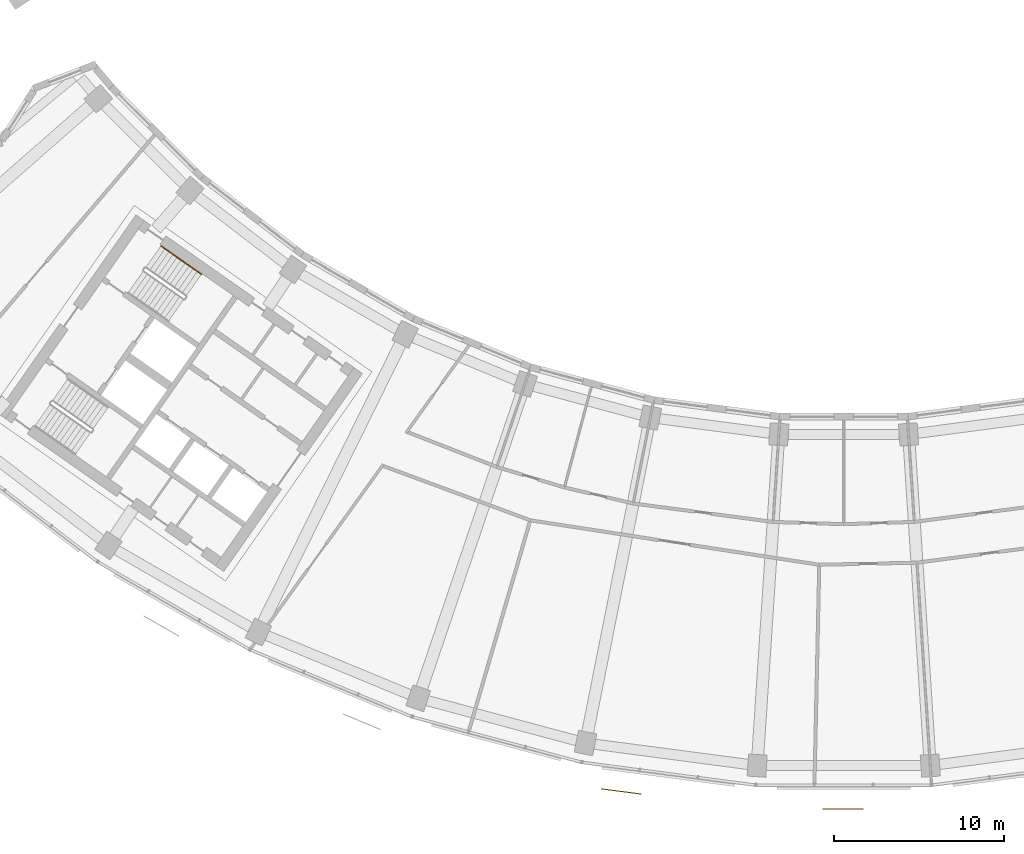
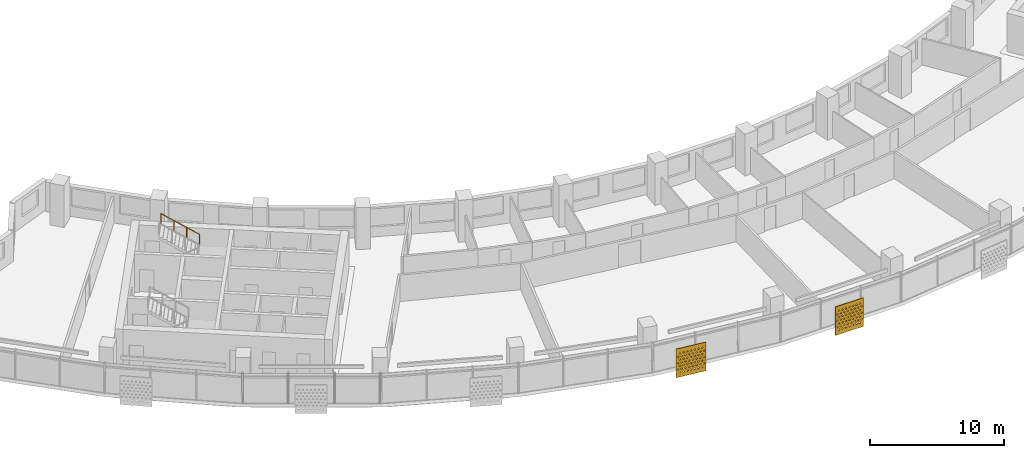
# One storey, part 23 of 26: 2 shading devices, 1 railing.
"""IFC4 building model written with IfcOpenShell, lengths in metres."""

from ifc_helpers import new_model, si_unit, direction, frame, origin, origin_2d, place, context, subcontext, project, spatial, polyline, circle, outline, extrude, material, material_profile, profile_set, type_object, element, save


model = new_model("IFC4")

# Units and contexts
model_context = context("Model", 3, precision=1e-05, world=origin(), true_north=direction((0.0, 1.0)))
body_context = subcontext(model_context, "Body", "Model", "MODEL_VIEW")
ifc_project = project(units=[si_unit("LENGTHUNIT", "METRE"), si_unit("AREAUNIT", "SQUARE_METRE"), si_unit("VOLUMEUNIT", "CUBIC_METRE"), si_unit("PLANEANGLEUNIT", "RADIAN"), si_unit("MASSUNIT", "GRAM", prefix="KILO")], contexts=[model_context])

# Site, building, storey
site_placement = place(None, origin())
site = spatial("IfcSite", under=ifc_project, at=site_placement, CompositionType="ELEMENT")
building_placement = place(site_placement, origin())
building = spatial("IfcBuilding", under=site, at=building_placement, Name="Qamariyya Broadcast Tower", CompositionType="ELEMENT")
storey_placement = place(building_placement, frame((0.0, 0.0, 168.300048828125)))
storey = spatial("IfcBuildingStorey", under=building, at=storey_placement, Name="L39", CompositionType="ELEMENT", Elevation=168.300048828125)

# Shading devices
ifc_material_1 = material(Name="Perforated glazed terracotta", Category="masonry")
ifc_material_profile = material_profile(ifc_material_1, outline(polyline([(-1.199951171875, -1.300048828125), (1.199951171875, -1.300048828125), (1.199951171875, 1.300048828125), (-1.199951171875, 1.300048828125), (-1.199951171875, -1.300048828125)]), holes=[polyline([(-0.81494140625, -0.86669921875), (-0.89990234375, -0.78173828125), (-0.985107421875, -0.86669921875), (-0.89990234375, -0.95166015625), (-0.81494140625, -0.86669921875)]), polyline([(-0.514892578125, -0.86669921875), (-0.60009765625, -0.78173828125), (-0.68505859375, -0.86669921875), (-0.60009765625, -0.95166015625), (-0.514892578125, -0.86669921875)]), polyline([(-0.215087890625, -0.86669921875), (-0.300048828125, -0.78173828125), (-0.385009765625, -0.86669921875), (-0.300048828125, -0.95166015625), (-0.215087890625, -0.86669921875)]), polyline([(0.0849609375, -0.86669921875), (0.0, -0.78173828125), (-0.0849609375, -0.86669921875), (0.0, -0.95166015625), (0.0849609375, -0.86669921875)]), polyline([(0.385009765625, -0.86669921875), (0.300048828125, -0.78173828125), (0.215087890625, -0.86669921875), (0.300048828125, -0.95166015625), (0.385009765625, -0.86669921875)]), polyline([(0.68505859375, -0.86669921875), (0.60009765625, -0.78173828125), (0.514892578125, -0.86669921875), (0.60009765625, -0.95166015625), (0.68505859375, -0.86669921875)]), polyline([(0.985107421875, -0.86669921875), (0.89990234375, -0.78173828125), (0.81494140625, -0.86669921875), (0.89990234375, -0.95166015625), (0.985107421875, -0.86669921875)]), polyline([(-0.965087890625, -0.577880859375), (-1.050048828125, -0.49267578125), (-1.135009765625, -0.577880859375), (-1.050048828125, -0.662841796875), (-0.965087890625, -0.577880859375)]), polyline([(-0.6650390625, -0.577880859375), (-0.75, -0.49267578125), (-0.8349609375, -0.577880859375), (-0.75, -0.662841796875), (-0.6650390625, -0.577880859375)]), polyline([(-0.364990234375, -0.577880859375), (-0.449951171875, -0.49267578125), (-0.534912109375, -0.577880859375), (-0.449951171875, -0.662841796875), (-0.364990234375, -0.577880859375)]), polyline([(-0.06494140625, -0.577880859375), (-0.14990234375, -0.49267578125), (-0.235107421875, -0.577880859375), (-0.14990234375, -0.662841796875), (-0.06494140625, -0.577880859375)]), polyline([(0.235107421875, -0.577880859375), (0.14990234375, -0.49267578125), (0.06494140625, -0.577880859375), (0.14990234375, -0.662841796875), (0.235107421875, -0.577880859375)]), polyline([(0.534912109375, -0.577880859375), (0.449951171875, -0.49267578125), (0.364990234375, -0.577880859375), (0.449951171875, -0.662841796875), (0.534912109375, -0.577880859375)]), polyline([(0.8349609375, -0.577880859375), (0.75, -0.49267578125), (0.6650390625, -0.577880859375), (0.75, -0.662841796875), (0.8349609375, -0.577880859375)]), polyline([(1.135009765625, -0.577880859375), (1.050048828125, -0.49267578125), (0.965087890625, -0.577880859375), (1.050048828125, -0.662841796875), (1.135009765625, -0.577880859375)]), polyline([(-0.81494140625, -0.288818359375), (-0.89990234375, -0.203857421875), (-0.985107421875, -0.288818359375), (-0.89990234375, -0.373779296875), (-0.81494140625, -0.288818359375)]), polyline([(-0.514892578125, -0.288818359375), (-0.60009765625, -0.203857421875), (-0.68505859375, -0.288818359375), (-0.60009765625, -0.373779296875), (-0.514892578125, -0.288818359375)]), polyline([(-0.215087890625, -0.288818359375), (-0.300048828125, -0.203857421875), (-0.385009765625, -0.288818359375), (-0.300048828125, -0.373779296875), (-0.215087890625, -0.288818359375)]), polyline([(0.0849609375, -0.288818359375), (0.0, -0.203857421875), (-0.0849609375, -0.288818359375), (0.0, -0.373779296875), (0.0849609375, -0.288818359375)]), polyline([(0.385009765625, -0.288818359375), (0.300048828125, -0.203857421875), (0.215087890625, -0.288818359375), (0.300048828125, -0.373779296875), (0.385009765625, -0.288818359375)]), polyline([(0.68505859375, -0.288818359375), (0.60009765625, -0.203857421875), (0.514892578125, -0.288818359375), (0.60009765625, -0.373779296875), (0.68505859375, -0.288818359375)]), polyline([(0.985107421875, -0.288818359375), (0.89990234375, -0.203857421875), (0.81494140625, -0.288818359375), (0.89990234375, -0.373779296875), (0.985107421875, -0.288818359375)]), polyline([(-0.965087890625, 0.0), (-1.050048828125, 0.0849609375), (-1.135009765625, 0.0), (-1.050048828125, -0.0849609375), (-0.965087890625, 0.0)]), polyline([(-0.6650390625, 0.0), (-0.75, 0.0849609375), (-0.8349609375, 0.0), (-0.75, -0.0849609375), (-0.6650390625, 0.0)]), polyline([(-0.364990234375, 0.0), (-0.449951171875, 0.0849609375), (-0.534912109375, 0.0), (-0.449951171875, -0.0849609375), (-0.364990234375, 0.0)]), polyline([(-0.06494140625, 0.0), (-0.14990234375, 0.0849609375), (-0.235107421875, 0.0), (-0.14990234375, -0.0849609375), (-0.06494140625, 0.0)]), polyline([(0.235107421875, 0.0), (0.14990234375, 0.0849609375), (0.06494140625, 0.0), (0.14990234375, -0.0849609375), (0.235107421875, 0.0)]), polyline([(0.534912109375, 0.0), (0.449951171875, 0.0849609375), (0.364990234375, 0.0), (0.449951171875, -0.0849609375), (0.534912109375, 0.0)]), polyline([(0.8349609375, 0.0), (0.75, 0.0849609375), (0.6650390625, 0.0), (0.75, -0.0849609375), (0.8349609375, 0.0)]), polyline([(1.135009765625, 0.0), (1.050048828125, 0.0849609375), (0.965087890625, 0.0), (1.050048828125, -0.0849609375), (1.135009765625, 0.0)]), polyline([(-0.81494140625, 0.288818359375), (-0.89990234375, 0.373779296875), (-0.985107421875, 0.288818359375), (-0.89990234375, 0.203857421875), (-0.81494140625, 0.288818359375)]), polyline([(-0.514892578125, 0.288818359375), (-0.60009765625, 0.373779296875), (-0.68505859375, 0.288818359375), (-0.60009765625, 0.203857421875), (-0.514892578125, 0.288818359375)]), polyline([(-0.215087890625, 0.288818359375), (-0.300048828125, 0.373779296875), (-0.385009765625, 0.288818359375), (-0.300048828125, 0.203857421875), (-0.215087890625, 0.288818359375)]), polyline([(0.0849609375, 0.288818359375), (0.0, 0.373779296875), (-0.0849609375, 0.288818359375), (0.0, 0.203857421875), (0.0849609375, 0.288818359375)]), polyline([(0.385009765625, 0.288818359375), (0.300048828125, 0.373779296875), (0.215087890625, 0.288818359375), (0.300048828125, 0.203857421875), (0.385009765625, 0.288818359375)]), polyline([(0.68505859375, 0.288818359375), (0.60009765625, 0.373779296875), (0.514892578125, 0.288818359375), (0.60009765625, 0.203857421875), (0.68505859375, 0.288818359375)]), polyline([(0.985107421875, 0.288818359375), (0.89990234375, 0.373779296875), (0.81494140625, 0.288818359375), (0.89990234375, 0.203857421875), (0.985107421875, 0.288818359375)]), polyline([(-0.965087890625, 0.577880859375), (-1.050048828125, 0.662841796875), (-1.135009765625, 0.577880859375), (-1.050048828125, 0.49267578125), (-0.965087890625, 0.577880859375)]), polyline([(-0.6650390625, 0.577880859375), (-0.75, 0.662841796875), (-0.8349609375, 0.577880859375), (-0.75, 0.49267578125), (-0.6650390625, 0.577880859375)]), polyline([(-0.364990234375, 0.577880859375), (-0.449951171875, 0.662841796875), (-0.534912109375, 0.577880859375), (-0.449951171875, 0.49267578125), (-0.364990234375, 0.577880859375)]), polyline([(-0.06494140625, 0.577880859375), (-0.14990234375, 0.662841796875), (-0.235107421875, 0.577880859375), (-0.14990234375, 0.49267578125), (-0.06494140625, 0.577880859375)]), polyline([(0.235107421875, 0.577880859375), (0.14990234375, 0.662841796875), (0.06494140625, 0.577880859375), (0.14990234375, 0.49267578125), (0.235107421875, 0.577880859375)]), polyline([(0.534912109375, 0.577880859375), (0.449951171875, 0.662841796875), (0.364990234375, 0.577880859375), (0.449951171875, 0.49267578125), (0.534912109375, 0.577880859375)]), polyline([(0.8349609375, 0.577880859375), (0.75, 0.662841796875), (0.6650390625, 0.577880859375), (0.75, 0.49267578125), (0.8349609375, 0.577880859375)]), polyline([(1.135009765625, 0.577880859375), (1.050048828125, 0.662841796875), (0.965087890625, 0.577880859375), (1.050048828125, 0.49267578125), (1.135009765625, 0.577880859375)]), polyline([(-0.81494140625, 0.86669921875), (-0.89990234375, 0.95166015625), (-0.985107421875, 0.86669921875), (-0.89990234375, 0.78173828125), (-0.81494140625, 0.86669921875)]), polyline([(-0.514892578125, 0.86669921875), (-0.60009765625, 0.95166015625), (-0.68505859375, 0.86669921875), (-0.60009765625, 0.78173828125), (-0.514892578125, 0.86669921875)]), polyline([(-0.215087890625, 0.86669921875), (-0.300048828125, 0.95166015625), (-0.385009765625, 0.86669921875), (-0.300048828125, 0.78173828125), (-0.215087890625, 0.86669921875)]), polyline([(0.0849609375, 0.86669921875), (0.0, 0.95166015625), (-0.0849609375, 0.86669921875), (0.0, 0.78173828125), (0.0849609375, 0.86669921875)]), polyline([(0.385009765625, 0.86669921875), (0.300048828125, 0.95166015625), (0.215087890625, 0.86669921875), (0.300048828125, 0.78173828125), (0.385009765625, 0.86669921875)]), polyline([(0.68505859375, 0.86669921875), (0.60009765625, 0.95166015625), (0.514892578125, 0.86669921875), (0.60009765625, 0.78173828125), (0.68505859375, 0.86669921875)]), polyline([(0.985107421875, 0.86669921875), (0.89990234375, 0.95166015625), (0.81494140625, 0.86669921875), (0.89990234375, 0.78173828125), (0.985107421875, 0.86669921875)])]))
ifc_profile_set = profile_set([ifc_material_profile], Name="Perforated glazed terracotta")
shading_device_type = type_object("IfcShadingDeviceType", Name="Perforated terracotta screen 2400 x 2600", PredefinedType="USERDEFINED", material=ifc_profile_set)
shading_device_1_placement = place(storey_placement, frame((-13.057861328125, -79.072998046875, 1.349853515625), z_axis=(-0.13056005306, -0.991440402921, 0.0), x_axis=(0.991440402921, -0.13056005306, 0.0)))
element("IfcShadingDevice", 1, at=shading_device_1_placement, inside=storey, type_object=shading_device_type, Name="e-scr-L39-06-0", ObjectType="SCREEN", PredefinedType="USERDEFINED", context=body_context, shape_type="SweptSolid", body=[
    extrude(outline(polyline([(-1.199951171875, -1.300048828125), (1.199951171875, -1.300048828125), (1.199951171875, 1.300048828125), (-1.199951171875, 1.300048828125), (-1.199951171875, -1.300048828125)]), holes=[polyline([(-0.81494140625, -0.86669921875), (-0.89990234375, -0.78173828125), (-0.985107421875, -0.86669921875), (-0.89990234375, -0.95166015625), (-0.81494140625, -0.86669921875)]), polyline([(-0.514892578125, -0.86669921875), (-0.60009765625, -0.78173828125), (-0.68505859375, -0.86669921875), (-0.60009765625, -0.95166015625), (-0.514892578125, -0.86669921875)]), polyline([(-0.215087890625, -0.86669921875), (-0.300048828125, -0.78173828125), (-0.385009765625, -0.86669921875), (-0.300048828125, -0.95166015625), (-0.215087890625, -0.86669921875)]), polyline([(0.0849609375, -0.86669921875), (0.0, -0.78173828125), (-0.0849609375, -0.86669921875), (0.0, -0.95166015625), (0.0849609375, -0.86669921875)]), polyline([(0.385009765625, -0.86669921875), (0.300048828125, -0.78173828125), (0.215087890625, -0.86669921875), (0.300048828125, -0.95166015625), (0.385009765625, -0.86669921875)]), polyline([(0.68505859375, -0.86669921875), (0.60009765625, -0.78173828125), (0.514892578125, -0.86669921875), (0.60009765625, -0.95166015625), (0.68505859375, -0.86669921875)]), polyline([(0.985107421875, -0.86669921875), (0.89990234375, -0.78173828125), (0.81494140625, -0.86669921875), (0.89990234375, -0.95166015625), (0.985107421875, -0.86669921875)]), polyline([(-0.965087890625, -0.577880859375), (-1.050048828125, -0.49267578125), (-1.135009765625, -0.577880859375), (-1.050048828125, -0.662841796875), (-0.965087890625, -0.577880859375)]), polyline([(-0.6650390625, -0.577880859375), (-0.75, -0.49267578125), (-0.8349609375, -0.577880859375), (-0.75, -0.662841796875), (-0.6650390625, -0.577880859375)]), polyline([(-0.364990234375, -0.577880859375), (-0.449951171875, -0.49267578125), (-0.534912109375, -0.577880859375), (-0.449951171875, -0.662841796875), (-0.364990234375, -0.577880859375)]), polyline([(-0.06494140625, -0.577880859375), (-0.14990234375, -0.49267578125), (-0.235107421875, -0.577880859375), (-0.14990234375, -0.662841796875), (-0.06494140625, -0.577880859375)]), polyline([(0.235107421875, -0.577880859375), (0.14990234375, -0.49267578125), (0.06494140625, -0.577880859375), (0.14990234375, -0.662841796875), (0.235107421875, -0.577880859375)]), polyline([(0.534912109375, -0.577880859375), (0.449951171875, -0.49267578125), (0.364990234375, -0.577880859375), (0.449951171875, -0.662841796875), (0.534912109375, -0.577880859375)]), polyline([(0.8349609375, -0.577880859375), (0.75, -0.49267578125), (0.6650390625, -0.577880859375), (0.75, -0.662841796875), (0.8349609375, -0.577880859375)]), polyline([(1.135009765625, -0.577880859375), (1.050048828125, -0.49267578125), (0.965087890625, -0.577880859375), (1.050048828125, -0.662841796875), (1.135009765625, -0.577880859375)]), polyline([(-0.81494140625, -0.288818359375), (-0.89990234375, -0.203857421875), (-0.985107421875, -0.288818359375), (-0.89990234375, -0.373779296875), (-0.81494140625, -0.288818359375)]), polyline([(-0.514892578125, -0.288818359375), (-0.60009765625, -0.203857421875), (-0.68505859375, -0.288818359375), (-0.60009765625, -0.373779296875), (-0.514892578125, -0.288818359375)]), polyline([(-0.215087890625, -0.288818359375), (-0.300048828125, -0.203857421875), (-0.385009765625, -0.288818359375), (-0.300048828125, -0.373779296875), (-0.215087890625, -0.288818359375)]), polyline([(0.0849609375, -0.288818359375), (0.0, -0.203857421875), (-0.0849609375, -0.288818359375), (0.0, -0.373779296875), (0.0849609375, -0.288818359375)]), polyline([(0.385009765625, -0.288818359375), (0.300048828125, -0.203857421875), (0.215087890625, -0.288818359375), (0.300048828125, -0.373779296875), (0.385009765625, -0.288818359375)]), polyline([(0.68505859375, -0.288818359375), (0.60009765625, -0.203857421875), (0.514892578125, -0.288818359375), (0.60009765625, -0.373779296875), (0.68505859375, -0.288818359375)]), polyline([(0.985107421875, -0.288818359375), (0.89990234375, -0.203857421875), (0.81494140625, -0.288818359375), (0.89990234375, -0.373779296875), (0.985107421875, -0.288818359375)]), polyline([(-0.965087890625, 0.0), (-1.050048828125, 0.0849609375), (-1.135009765625, 0.0), (-1.050048828125, -0.0849609375), (-0.965087890625, 0.0)]), polyline([(-0.6650390625, 0.0), (-0.75, 0.0849609375), (-0.8349609375, 0.0), (-0.75, -0.0849609375), (-0.6650390625, 0.0)]), polyline([(-0.364990234375, 0.0), (-0.449951171875, 0.0849609375), (-0.534912109375, 0.0), (-0.449951171875, -0.0849609375), (-0.364990234375, 0.0)]), polyline([(-0.06494140625, 0.0), (-0.14990234375, 0.0849609375), (-0.235107421875, 0.0), (-0.14990234375, -0.0849609375), (-0.06494140625, 0.0)]), polyline([(0.235107421875, 0.0), (0.14990234375, 0.0849609375), (0.06494140625, 0.0), (0.14990234375, -0.0849609375), (0.235107421875, 0.0)]), polyline([(0.534912109375, 0.0), (0.449951171875, 0.0849609375), (0.364990234375, 0.0), (0.449951171875, -0.0849609375), (0.534912109375, 0.0)]), polyline([(0.8349609375, 0.0), (0.75, 0.0849609375), (0.6650390625, 0.0), (0.75, -0.0849609375), (0.8349609375, 0.0)]), polyline([(1.135009765625, 0.0), (1.050048828125, 0.0849609375), (0.965087890625, 0.0), (1.050048828125, -0.0849609375), (1.135009765625, 0.0)]), polyline([(-0.81494140625, 0.288818359375), (-0.89990234375, 0.373779296875), (-0.985107421875, 0.288818359375), (-0.89990234375, 0.203857421875), (-0.81494140625, 0.288818359375)]), polyline([(-0.514892578125, 0.288818359375), (-0.60009765625, 0.373779296875), (-0.68505859375, 0.288818359375), (-0.60009765625, 0.203857421875), (-0.514892578125, 0.288818359375)]), polyline([(-0.215087890625, 0.288818359375), (-0.300048828125, 0.373779296875), (-0.385009765625, 0.288818359375), (-0.300048828125, 0.203857421875), (-0.215087890625, 0.288818359375)]), polyline([(0.0849609375, 0.288818359375), (0.0, 0.373779296875), (-0.0849609375, 0.288818359375), (0.0, 0.203857421875), (0.0849609375, 0.288818359375)]), polyline([(0.385009765625, 0.288818359375), (0.300048828125, 0.373779296875), (0.215087890625, 0.288818359375), (0.300048828125, 0.203857421875), (0.385009765625, 0.288818359375)]), polyline([(0.68505859375, 0.288818359375), (0.60009765625, 0.373779296875), (0.514892578125, 0.288818359375), (0.60009765625, 0.203857421875), (0.68505859375, 0.288818359375)]), polyline([(0.985107421875, 0.288818359375), (0.89990234375, 0.373779296875), (0.81494140625, 0.288818359375), (0.89990234375, 0.203857421875), (0.985107421875, 0.288818359375)]), polyline([(-0.965087890625, 0.577880859375), (-1.050048828125, 0.662841796875), (-1.135009765625, 0.577880859375), (-1.050048828125, 0.49267578125), (-0.965087890625, 0.577880859375)]), polyline([(-0.6650390625, 0.577880859375), (-0.75, 0.662841796875), (-0.8349609375, 0.577880859375), (-0.75, 0.49267578125), (-0.6650390625, 0.577880859375)]), polyline([(-0.364990234375, 0.577880859375), (-0.449951171875, 0.662841796875), (-0.534912109375, 0.577880859375), (-0.449951171875, 0.49267578125), (-0.364990234375, 0.577880859375)]), polyline([(-0.06494140625, 0.577880859375), (-0.14990234375, 0.662841796875), (-0.235107421875, 0.577880859375), (-0.14990234375, 0.49267578125), (-0.06494140625, 0.577880859375)]), polyline([(0.235107421875, 0.577880859375), (0.14990234375, 0.662841796875), (0.06494140625, 0.577880859375), (0.14990234375, 0.49267578125), (0.235107421875, 0.577880859375)]), polyline([(0.534912109375, 0.577880859375), (0.449951171875, 0.662841796875), (0.364990234375, 0.577880859375), (0.449951171875, 0.49267578125), (0.534912109375, 0.577880859375)]), polyline([(0.8349609375, 0.577880859375), (0.75, 0.662841796875), (0.6650390625, 0.577880859375), (0.75, 0.49267578125), (0.8349609375, 0.577880859375)]), polyline([(1.135009765625, 0.577880859375), (1.050048828125, 0.662841796875), (0.965087890625, 0.577880859375), (1.050048828125, 0.49267578125), (1.135009765625, 0.577880859375)]), polyline([(-0.81494140625, 0.86669921875), (-0.89990234375, 0.95166015625), (-0.985107421875, 0.86669921875), (-0.89990234375, 0.78173828125), (-0.81494140625, 0.86669921875)]), polyline([(-0.514892578125, 0.86669921875), (-0.60009765625, 0.95166015625), (-0.68505859375, 0.86669921875), (-0.60009765625, 0.78173828125), (-0.514892578125, 0.86669921875)]), polyline([(-0.215087890625, 0.86669921875), (-0.300048828125, 0.95166015625), (-0.385009765625, 0.86669921875), (-0.300048828125, 0.78173828125), (-0.215087890625, 0.86669921875)]), polyline([(0.0849609375, 0.86669921875), (0.0, 0.95166015625), (-0.0849609375, 0.86669921875), (0.0, 0.78173828125), (0.0849609375, 0.86669921875)]), polyline([(0.385009765625, 0.86669921875), (0.300048828125, 0.95166015625), (0.215087890625, 0.86669921875), (0.300048828125, 0.78173828125), (0.385009765625, 0.86669921875)]), polyline([(0.68505859375, 0.86669921875), (0.60009765625, 0.95166015625), (0.514892578125, 0.86669921875), (0.60009765625, 0.78173828125), (0.68505859375, 0.86669921875)]), polyline([(0.985107421875, 0.86669921875), (0.89990234375, 0.95166015625), (0.81494140625, 0.86669921875), (0.89990234375, 0.78173828125), (0.985107421875, 0.86669921875)])]), origin(), (0.0, 0.0, 1.0), 0.059814453125),
])
shading_device_2_placement = place(storey_placement, frame((-0.041748046875, -80.100830078125, 1.349853515625), z_axis=(0.0, -1.0, 0.0), x_axis=(1.0, 0.0, 0.0)))
element("IfcShadingDevice", 2, at=shading_device_2_placement, inside=storey, type_object=shading_device_type, Name="e-scr-L39-07-1", ObjectType="SCREEN", PredefinedType="USERDEFINED", context=body_context, shape_type="SweptSolid", body=[
    extrude(outline(polyline([(-1.199951171875, -1.300048828125), (1.199951171875, -1.300048828125), (1.199951171875, 1.300048828125), (-1.199951171875, 1.300048828125), (-1.199951171875, -1.300048828125)]), holes=[polyline([(-0.81494140625, -0.86669921875), (-0.89990234375, -0.78173828125), (-0.985107421875, -0.86669921875), (-0.89990234375, -0.95166015625), (-0.81494140625, -0.86669921875)]), polyline([(-0.514892578125, -0.86669921875), (-0.60009765625, -0.78173828125), (-0.68505859375, -0.86669921875), (-0.60009765625, -0.95166015625), (-0.514892578125, -0.86669921875)]), polyline([(-0.215087890625, -0.86669921875), (-0.300048828125, -0.78173828125), (-0.385009765625, -0.86669921875), (-0.300048828125, -0.95166015625), (-0.215087890625, -0.86669921875)]), polyline([(0.0849609375, -0.86669921875), (0.0, -0.78173828125), (-0.0849609375, -0.86669921875), (0.0, -0.95166015625), (0.0849609375, -0.86669921875)]), polyline([(0.385009765625, -0.86669921875), (0.300048828125, -0.78173828125), (0.215087890625, -0.86669921875), (0.300048828125, -0.95166015625), (0.385009765625, -0.86669921875)]), polyline([(0.68505859375, -0.86669921875), (0.60009765625, -0.78173828125), (0.514892578125, -0.86669921875), (0.60009765625, -0.95166015625), (0.68505859375, -0.86669921875)]), polyline([(0.985107421875, -0.86669921875), (0.89990234375, -0.78173828125), (0.81494140625, -0.86669921875), (0.89990234375, -0.95166015625), (0.985107421875, -0.86669921875)]), polyline([(-0.965087890625, -0.577880859375), (-1.050048828125, -0.49267578125), (-1.135009765625, -0.577880859375), (-1.050048828125, -0.662841796875), (-0.965087890625, -0.577880859375)]), polyline([(-0.6650390625, -0.577880859375), (-0.75, -0.49267578125), (-0.8349609375, -0.577880859375), (-0.75, -0.662841796875), (-0.6650390625, -0.577880859375)]), polyline([(-0.364990234375, -0.577880859375), (-0.449951171875, -0.49267578125), (-0.534912109375, -0.577880859375), (-0.449951171875, -0.662841796875), (-0.364990234375, -0.577880859375)]), polyline([(-0.06494140625, -0.577880859375), (-0.14990234375, -0.49267578125), (-0.235107421875, -0.577880859375), (-0.14990234375, -0.662841796875), (-0.06494140625, -0.577880859375)]), polyline([(0.235107421875, -0.577880859375), (0.14990234375, -0.49267578125), (0.06494140625, -0.577880859375), (0.14990234375, -0.662841796875), (0.235107421875, -0.577880859375)]), polyline([(0.534912109375, -0.577880859375), (0.449951171875, -0.49267578125), (0.364990234375, -0.577880859375), (0.449951171875, -0.662841796875), (0.534912109375, -0.577880859375)]), polyline([(0.8349609375, -0.577880859375), (0.75, -0.49267578125), (0.6650390625, -0.577880859375), (0.75, -0.662841796875), (0.8349609375, -0.577880859375)]), polyline([(1.135009765625, -0.577880859375), (1.050048828125, -0.49267578125), (0.965087890625, -0.577880859375), (1.050048828125, -0.662841796875), (1.135009765625, -0.577880859375)]), polyline([(-0.81494140625, -0.288818359375), (-0.89990234375, -0.203857421875), (-0.985107421875, -0.288818359375), (-0.89990234375, -0.373779296875), (-0.81494140625, -0.288818359375)]), polyline([(-0.514892578125, -0.288818359375), (-0.60009765625, -0.203857421875), (-0.68505859375, -0.288818359375), (-0.60009765625, -0.373779296875), (-0.514892578125, -0.288818359375)]), polyline([(-0.215087890625, -0.288818359375), (-0.300048828125, -0.203857421875), (-0.385009765625, -0.288818359375), (-0.300048828125, -0.373779296875), (-0.215087890625, -0.288818359375)]), polyline([(0.0849609375, -0.288818359375), (0.0, -0.203857421875), (-0.0849609375, -0.288818359375), (0.0, -0.373779296875), (0.0849609375, -0.288818359375)]), polyline([(0.385009765625, -0.288818359375), (0.300048828125, -0.203857421875), (0.215087890625, -0.288818359375), (0.300048828125, -0.373779296875), (0.385009765625, -0.288818359375)]), polyline([(0.68505859375, -0.288818359375), (0.60009765625, -0.203857421875), (0.514892578125, -0.288818359375), (0.60009765625, -0.373779296875), (0.68505859375, -0.288818359375)]), polyline([(0.985107421875, -0.288818359375), (0.89990234375, -0.203857421875), (0.81494140625, -0.288818359375), (0.89990234375, -0.373779296875), (0.985107421875, -0.288818359375)]), polyline([(-0.965087890625, 0.0), (-1.050048828125, 0.0849609375), (-1.135009765625, 0.0), (-1.050048828125, -0.0849609375), (-0.965087890625, 0.0)]), polyline([(-0.6650390625, 0.0), (-0.75, 0.0849609375), (-0.8349609375, 0.0), (-0.75, -0.0849609375), (-0.6650390625, 0.0)]), polyline([(-0.364990234375, 0.0), (-0.449951171875, 0.0849609375), (-0.534912109375, 0.0), (-0.449951171875, -0.0849609375), (-0.364990234375, 0.0)]), polyline([(-0.06494140625, 0.0), (-0.14990234375, 0.0849609375), (-0.235107421875, 0.0), (-0.14990234375, -0.0849609375), (-0.06494140625, 0.0)]), polyline([(0.235107421875, 0.0), (0.14990234375, 0.0849609375), (0.06494140625, 0.0), (0.14990234375, -0.0849609375), (0.235107421875, 0.0)]), polyline([(0.534912109375, 0.0), (0.449951171875, 0.0849609375), (0.364990234375, 0.0), (0.449951171875, -0.0849609375), (0.534912109375, 0.0)]), polyline([(0.8349609375, 0.0), (0.75, 0.0849609375), (0.6650390625, 0.0), (0.75, -0.0849609375), (0.8349609375, 0.0)]), polyline([(1.135009765625, 0.0), (1.050048828125, 0.0849609375), (0.965087890625, 0.0), (1.050048828125, -0.0849609375), (1.135009765625, 0.0)]), polyline([(-0.81494140625, 0.288818359375), (-0.89990234375, 0.373779296875), (-0.985107421875, 0.288818359375), (-0.89990234375, 0.203857421875), (-0.81494140625, 0.288818359375)]), polyline([(-0.514892578125, 0.288818359375), (-0.60009765625, 0.373779296875), (-0.68505859375, 0.288818359375), (-0.60009765625, 0.203857421875), (-0.514892578125, 0.288818359375)]), polyline([(-0.215087890625, 0.288818359375), (-0.300048828125, 0.373779296875), (-0.385009765625, 0.288818359375), (-0.300048828125, 0.203857421875), (-0.215087890625, 0.288818359375)]), polyline([(0.0849609375, 0.288818359375), (0.0, 0.373779296875), (-0.0849609375, 0.288818359375), (0.0, 0.203857421875), (0.0849609375, 0.288818359375)]), polyline([(0.385009765625, 0.288818359375), (0.300048828125, 0.373779296875), (0.215087890625, 0.288818359375), (0.300048828125, 0.203857421875), (0.385009765625, 0.288818359375)]), polyline([(0.68505859375, 0.288818359375), (0.60009765625, 0.373779296875), (0.514892578125, 0.288818359375), (0.60009765625, 0.203857421875), (0.68505859375, 0.288818359375)]), polyline([(0.985107421875, 0.288818359375), (0.89990234375, 0.373779296875), (0.81494140625, 0.288818359375), (0.89990234375, 0.203857421875), (0.985107421875, 0.288818359375)]), polyline([(-0.965087890625, 0.577880859375), (-1.050048828125, 0.662841796875), (-1.135009765625, 0.577880859375), (-1.050048828125, 0.49267578125), (-0.965087890625, 0.577880859375)]), polyline([(-0.6650390625, 0.577880859375), (-0.75, 0.662841796875), (-0.8349609375, 0.577880859375), (-0.75, 0.49267578125), (-0.6650390625, 0.577880859375)]), polyline([(-0.364990234375, 0.577880859375), (-0.449951171875, 0.662841796875), (-0.534912109375, 0.577880859375), (-0.449951171875, 0.49267578125), (-0.364990234375, 0.577880859375)]), polyline([(-0.06494140625, 0.577880859375), (-0.14990234375, 0.662841796875), (-0.235107421875, 0.577880859375), (-0.14990234375, 0.49267578125), (-0.06494140625, 0.577880859375)]), polyline([(0.235107421875, 0.577880859375), (0.14990234375, 0.662841796875), (0.06494140625, 0.577880859375), (0.14990234375, 0.49267578125), (0.235107421875, 0.577880859375)]), polyline([(0.534912109375, 0.577880859375), (0.449951171875, 0.662841796875), (0.364990234375, 0.577880859375), (0.449951171875, 0.49267578125), (0.534912109375, 0.577880859375)]), polyline([(0.8349609375, 0.577880859375), (0.75, 0.662841796875), (0.6650390625, 0.577880859375), (0.75, 0.49267578125), (0.8349609375, 0.577880859375)]), polyline([(1.135009765625, 0.577880859375), (1.050048828125, 0.662841796875), (0.965087890625, 0.577880859375), (1.050048828125, 0.49267578125), (1.135009765625, 0.577880859375)]), polyline([(-0.81494140625, 0.86669921875), (-0.89990234375, 0.95166015625), (-0.985107421875, 0.86669921875), (-0.89990234375, 0.78173828125), (-0.81494140625, 0.86669921875)]), polyline([(-0.514892578125, 0.86669921875), (-0.60009765625, 0.95166015625), (-0.68505859375, 0.86669921875), (-0.60009765625, 0.78173828125), (-0.514892578125, 0.86669921875)]), polyline([(-0.215087890625, 0.86669921875), (-0.300048828125, 0.95166015625), (-0.385009765625, 0.86669921875), (-0.300048828125, 0.78173828125), (-0.215087890625, 0.86669921875)]), polyline([(0.0849609375, 0.86669921875), (0.0, 0.95166015625), (-0.0849609375, 0.86669921875), (0.0, 0.78173828125), (0.0849609375, 0.86669921875)]), polyline([(0.385009765625, 0.86669921875), (0.300048828125, 0.95166015625), (0.215087890625, 0.86669921875), (0.300048828125, 0.78173828125), (0.385009765625, 0.86669921875)]), polyline([(0.68505859375, 0.86669921875), (0.60009765625, 0.95166015625), (0.514892578125, 0.86669921875), (0.60009765625, 0.78173828125), (0.68505859375, 0.86669921875)]), polyline([(0.985107421875, 0.86669921875), (0.89990234375, 0.95166015625), (0.81494140625, 0.86669921875), (0.89990234375, 0.78173828125), (0.985107421875, 0.86669921875)])]), origin(), (0.0, 0.0, 1.0), 0.06005859375),
])

# Railing
ifc_material_2 = material(Name="Stainless steel", Category="steel")
railing_type = type_object("IfcRailingType", Name="Stair handrail", PredefinedType="HANDRAIL", material=ifc_material_2)
railing_placement = place(storey_placement, frame((-37.73876953125, -48.7138671875, 2.07275390625)))
element("IfcRailing", 3, at=railing_placement, inside=storey, type_object=railing_type, Name="L39 ST-W2 stair handrail 2", PredefinedType="HANDRAIL", context=body_context, shape_type="SweptSolid", body=[
    extrude(circle(Radius=0.02392578125, at=origin_2d()), frame((0.0, 0.0, 0.8759765625), z_axis=(-0.703745009021, 0.492838488332, 0.511715923826), x_axis=(-0.573631830683, -0.819113253969, 0.0)), (0.0, 0.0, 1.0), 3.37548828125),
    extrude(circle(Radius=0.02099609375, at=origin_2d()), origin(), (0.0, 0.0, 1.0), 0.851806640625),
    extrude(circle(Radius=0.02099609375, at=origin_2d()), frame((-0.791748046875, 0.554443359375, 0.57568359375)), (0.0, 0.0, 1.0), 0.851806640625),
    extrude(circle(Radius=0.02099609375, at=origin_2d()), frame((-1.583740234375, 1.109130859375, 1.151611328125)), (0.0, 0.0, 1.0), 0.851806640625),
    extrude(circle(Radius=0.02099609375, at=origin_2d()), frame((-2.37548828125, 1.66357421875, 1.727294921875)), (0.0, 0.0, 1.0), 0.851806640625),
])

save(model, "model.ifc")
